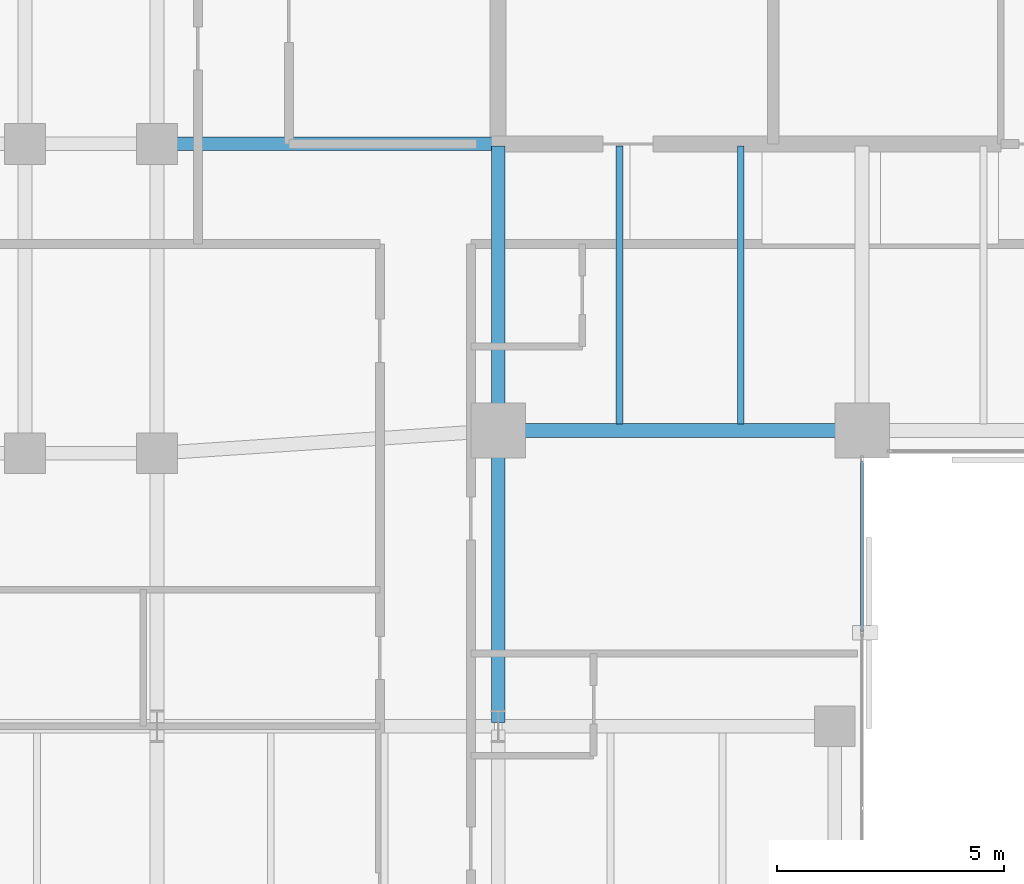
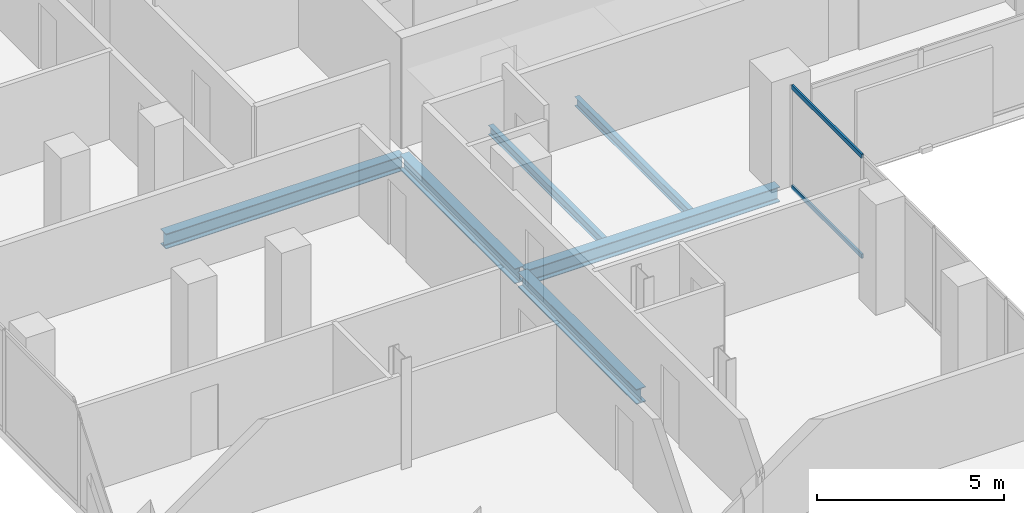
# One storey, part 12 of 33: 6 beams, 2 members, 1 element without a shape of its own.
"""IFC4 building model written with IfcOpenShell, lengths in metres."""

from ifc_helpers import new_model, si_unit, direction, frame, origin, origin_2d, place, context, subcontext, project, spatial, hollow_rectangle, i_section, extrude, material, layer, layer_set, material_profile, profile_set, type_object, element, aggregate, save


model = new_model("IFC4")

# Units and contexts
model_context = context("Model", 3, precision=1e-05, world=origin(), true_north=direction((0.0, 1.0)))
body_context = subcontext(model_context, "Body", "Model", "MODEL_VIEW")
ifc_project = project(units=[si_unit("LENGTHUNIT", "METRE"), si_unit("AREAUNIT", "SQUARE_METRE"), si_unit("VOLUMEUNIT", "CUBIC_METRE"), si_unit("PLANEANGLEUNIT", "RADIAN"), si_unit("MASSUNIT", "GRAM", prefix="KILO")], contexts=[model_context])

# Site, building, storey
site_placement = place(None, origin())
site = spatial("IfcSite", under=ifc_project, at=site_placement, CompositionType="ELEMENT")
building_placement = place(site_placement, origin())
building = spatial("IfcBuilding", under=site, at=building_placement, Name="Catumbela Crestline Tower", CompositionType="ELEMENT")
storey_placement = place(building_placement, frame((0.0, 0.0, 100.8)))
storey = spatial("IfcBuildingStorey", under=building, at=storey_placement, Name="L25", CompositionType="ELEMENT", Elevation=100.8)

# Beams
ifc_material_1 = material(Name="Structural steel S355J2", Category="steel")
ifc_material_profile_1 = material_profile(ifc_material_1, i_section(OverallWidth=0.3, OverallDepth=0.49, WebThickness=0.012, FlangeThickness=0.023, FilletRadius=0.027, at=origin_2d()), Name="HEA 500")
ifc_profile_set_1 = profile_set([ifc_material_profile_1], Name="Structural steel S355J2")
beam_type_1 = type_object("IfcBeamType", Name="BG-HEA500", PredefinedType="BEAM", material=ifc_profile_set_1)
beam_1_placement = place(storey_placement, frame((16.08, 24.5, -0.505), z_axis=(1.0, 0.0, 0.0), x_axis=(0.0, 1.0, 0.0)))
element("IfcBeam", 1, at=beam_1_placement, inside=storey, type_object=beam_type_1, Name="L25 Beam BM-L25-S04", PredefinedType="BEAM", context=body_context, shape_type="SweptSolid", body=[
    extrude(i_section(OverallWidth=0.3, OverallDepth=0.49, WebThickness=0.012, FlangeThickness=0.023, FilletRadius=0.027, at=origin_2d()), origin(), (0.0, 0.0, 1.0), 7.84),
])
beam_2_placement = place(storey_placement, frame((8.58, 30.8, -0.505), z_axis=(1.0, 0.0, 0.0), x_axis=(0.0, 1.0, 0.0)))
element("IfcBeam", 2, at=beam_2_placement, inside=storey, type_object=beam_type_1, Name="L25 Beam BM-L25-M09", PredefinedType="BEAM", context=body_context, shape_type="SweptSolid", body=[
    extrude(i_section(OverallWidth=0.3, OverallDepth=0.49, WebThickness=0.012, FlangeThickness=0.023, FilletRadius=0.027, at=origin_2d()), origin(), (0.0, 0.0, 1.0), 7.37),
])
beam_3_placement = place(storey_placement, frame((16.0, 24.58, -0.505), z_axis=(0.0, 1.0, 0.0), x_axis=(-1.0, 0.0, 0.0)))
element("IfcBeam", 3, at=beam_3_placement, inside=storey, type_object=beam_type_1, Name="L25 Beam BM-L25-SNS28", PredefinedType="BEAM", context=body_context, shape_type="SweptSolid", body=[
    extrude(i_section(OverallWidth=0.3, OverallDepth=0.49, WebThickness=0.012, FlangeThickness=0.023, FilletRadius=0.027, at=origin_2d()), origin(), (0.0, 0.0, 1.0), 6.17),
])
beam_4_placement = place(storey_placement, frame((16.0, 18.08, -0.505), z_axis=(0.0, 1.0, 0.0), x_axis=(-1.0, 0.0, 0.0)))
element("IfcBeam", 4, at=beam_4_placement, inside=storey, type_object=beam_type_1, Name="L25 Beam BM-L25-WNS60", PredefinedType="BEAM", context=body_context, shape_type="SweptSolid", body=[
    extrude(i_section(OverallWidth=0.3, OverallDepth=0.49, WebThickness=0.012, FlangeThickness=0.023, FilletRadius=0.027, at=origin_2d()), origin(), (0.0, 0.0, 1.0), 6.34),
])
ifc_material_profile_2 = material_profile(ifc_material_1, i_section(OverallWidth=0.15, OverallDepth=0.3, WebThickness=0.0071, FlangeThickness=0.0107, FilletRadius=0.015, at=origin_2d()), Name="IPE 300")
ifc_profile_set_2 = profile_set([ifc_material_profile_2], Name="Structural steel S355J2")
beam_type_2 = type_object("IfcBeamType", Name="BJ-IPE300", PredefinedType="JOIST", material=ifc_profile_set_2)
for number, where, z_axis, x_axis, name in (
    (5, (18.667, 24.647, -0.41), (0.0, 1.0, 0.0), (-1.0, 0.0, 0.0), "L25 Joist JS-L25-SP37"),
    (6, (21.333, 24.647, -0.41), (0.0, 1.0, 0.0), (-1.0, 0.0, 0.0), "L25 Joist JS-L25-SP38"),
):
    element("IfcBeam", number, at=place(storey_placement, frame(where, z_axis=z_axis, x_axis=x_axis)), inside=storey, type_object=beam_type_2, Name=name, PredefinedType="JOIST", context=body_context, shape_type="SweptSolid", body=[
        extrude(i_section(OverallWidth=0.15, OverallDepth=0.3, WebThickness=0.0071, FlangeThickness=0.0107, FilletRadius=0.015, at=origin_2d()), origin(), (0.0, 0.0, 1.0), 6.103),
    ])

# Curtain wall, members
ifc_material_2 = material(Name="Aluminium alloy AW-6060-T66", Category="aluminium")
ifc_layer = layer(ifc_material_2, 0.18, Name="Aluminium alloy AW-6060-T66")
ifc_layer_set = layer_set([ifc_layer], Name="Aluminium alloy AW-6060-T66")
curtain_wall_type = type_object("IfcCurtainWallType", Name="CWU-Z2", PredefinedType="USERDEFINED", material=ifc_layer_set)
curtain_wall_placement = place(storey_placement, origin())
curtain_wall = element("IfcCurtainWall", 7, at=curtain_wall_placement, inside=storey, type_object=curtain_wall_type, Name="L25 Unitised Curtain Wall CW-L25-E2S1", ObjectType="UNITISED", PredefinedType="USERDEFINED")
ifc_material_profile_3 = material_profile(ifc_material_2, hollow_rectangle(XDim=0.06, YDim=0.14, WallThickness=0.004, at=origin_2d()), Name="ALU 140x60x4")
ifc_profile_set_3 = profile_set([ifc_material_profile_3], Name="Aluminium alloy AW-6060-T66")
member_type = type_object("IfcMemberType", Name="TRN-140X60", PredefinedType="USERDEFINED", material=ifc_profile_set_3)
member_1_placement = place(storey_placement, frame((24.0, 20.0825, 0.03), z_axis=(0.0, 1.0, 0.0), x_axis=(-1.0, 0.0, 0.0)))
member_1 = element("IfcMember", 8, at=member_1_placement, type_object=member_type, Name="CWU-Z2 transom 4.1", ObjectType="TRANSOM", PredefinedType="USERDEFINED", context=body_context, shape_type="SweptSolid", body=[
    extrude(hollow_rectangle(XDim=0.06, YDim=0.14, WallThickness=0.004, at=origin_2d()), origin(), (0.0, 0.0, 1.0), 3.7525),
])
member_2_placement = place(storey_placement, frame((24.0, 20.0825, 3.3), z_axis=(0.0, 1.0, 0.0), x_axis=(-1.0, 0.0, 0.0)))
member_2 = element("IfcMember", 9, at=member_2_placement, type_object=member_type, Name="CWU-Z2 transom 4.2", ObjectType="TRANSOM", PredefinedType="USERDEFINED", context=body_context, shape_type="SweptSolid", body=[
    extrude(hollow_rectangle(XDim=0.06, YDim=0.14, WallThickness=0.004, at=origin_2d()), origin(), (0.0, 0.0, 1.0), 3.7525),
])
aggregate(curtain_wall, [member_1, member_2])

save(model, "model.ifc")
